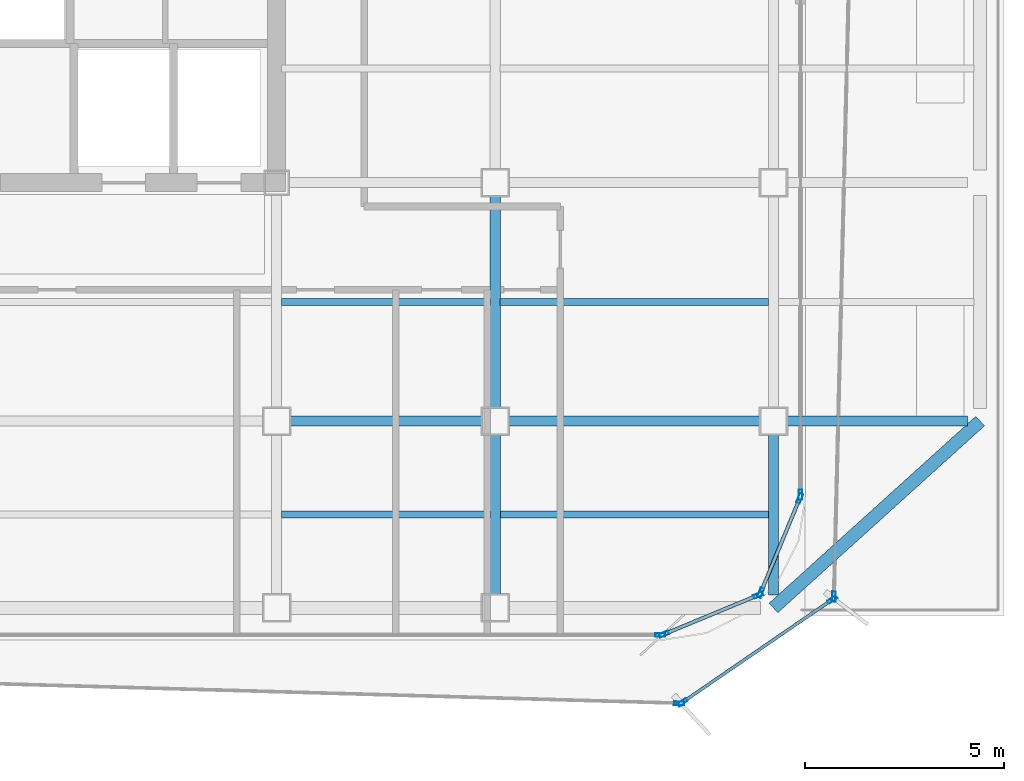
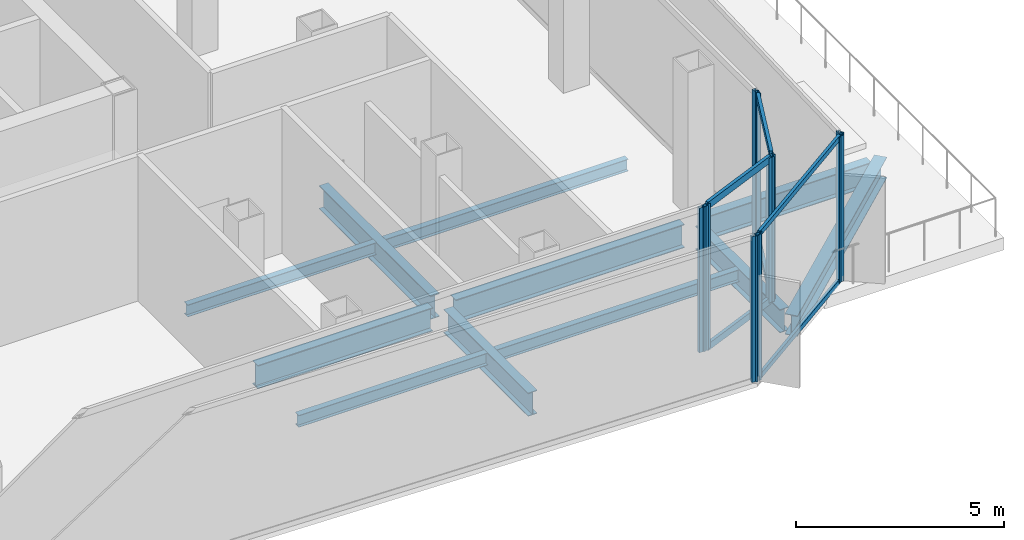
# One storey, part 4 of 14: 16 members, 11 beams, 7 elements without a shape of their own.
"""IFC4 building model written with IfcOpenShell, lengths in metres."""

from ifc_helpers import new_model, si_unit, direction, frame, origin, origin_2d, place, context, subcontext, project, spatial, hollow_rectangle, i_section, extrude, source, transform, mapped, material, layer, layer_set, material_profile, profile_set, type_object, element, aggregate, save


model = new_model("IFC4")

# Units and contexts
model_context = context("Model", 3, precision=1e-05, world=origin(), true_north=direction((0.0, 1.0)))
body_context = subcontext(model_context, "Body", "Model", "MODEL_VIEW")
ifc_project = project(units=[si_unit("LENGTHUNIT", "METRE"), si_unit("AREAUNIT", "SQUARE_METRE"), si_unit("VOLUMEUNIT", "CUBIC_METRE"), si_unit("PLANEANGLEUNIT", "RADIAN"), si_unit("MASSUNIT", "GRAM", prefix="KILO")], contexts=[model_context])

# Site, building, storey
site_placement = place(None, origin())
site = spatial("IfcSite", under=ifc_project, at=site_placement, CompositionType="ELEMENT")
building_placement = place(site_placement, origin())
building = spatial("IfcBuilding", under=site, at=building_placement, Name="Kolveth Station Tower", CompositionType="ELEMENT")
storey_placement = place(building_placement, frame((0.0, 0.0, 151.60009765625)))
storey = spatial("IfcBuildingStorey", under=building, at=storey_placement, Name="L42", CompositionType="ELEMENT", Elevation=151.60009765625)

# Beams
ifc_material_1 = material(Name="Steel S355", Category="steel")
ifc_material_profile_1 = material_profile(ifc_material_1, i_section(OverallWidth=0.323974609375, OverallDepth=0.611083984375, WebThickness=0.0126953125, FlangeThickness=0.01904296875, at=origin_2d()), Name="W610x155")
ifc_profile_set_1 = profile_set([ifc_material_profile_1], Name="Steel S355")
beam_type_1 = type_object("IfcBeamType", Name="Beam_SP2", PredefinedType="SPANDREL", material=ifc_profile_set_1)
shared_shape_1 = source(origin(), body_context, "Body", "SweptSolid", [
    extrude(i_section(OverallWidth=0.323974609375, OverallDepth=0.611083984375, WebThickness=0.0126953125, FlangeThickness=0.01904296875, at=origin_2d()), origin(), (0.0, 0.0, 1.0), 7.00927734375),
])
beam_1_placement = place(storey_placement, frame((41.0, 0.800048828125, -0.66552734375), z_axis=(0.741874009795, 0.670539300557, 0.0), x_axis=(-0.670539300557, 0.741874009795, 0.0)))
element("IfcBeam", 1, at=beam_1_placement, inside=storey, type_object=beam_type_1, Name="L42 Corner Edge Girder BM-L42-CNR-SE", PredefinedType="SPANDREL", context=body_context, shape_type="MappedRepresentation", body=[
    mapped(shared_shape_1, transform((0.0, 0.0, 0.0), x_axis=(1.0, 0.0, 0.0), y_axis=(0.0, 1.0, 0.0), z_axis=(0.0, 0.0, 1.0), scale=1.0)),
])
ifc_material_profile_2 = material_profile(ifc_material_1, i_section(OverallWidth=0.25390625, OverallDepth=0.68798828125, WebThickness=0.01318359375, FlangeThickness=0.02099609375, at=origin_2d()), Name="W690x152")
ifc_profile_set_2 = profile_set([ifc_material_profile_2], Name="Steel S355")
beam_type_2 = type_object("IfcBeamType", Name="Beam_B4", PredefinedType="BEAM", material=ifc_profile_set_2)
shared_shape_2 = source(origin(), body_context, "Body", "SweptSolid", [
    extrude(i_section(OverallWidth=0.25390625, OverallDepth=0.68798828125, WebThickness=0.01318359375, FlangeThickness=0.02099609375, at=origin_2d()), origin(), (0.0, 0.0, 1.0), 4.559814453125),
])
beam_2_placement = place(storey_placement, frame((41.320068359375, 5.5, -0.7041015625), z_axis=(1.0, 0.0, 0.0), x_axis=(0.0, 1.0, 0.0)))
element("IfcBeam", 2, at=beam_2_placement, inside=storey, type_object=beam_type_2, Name="L42 Primary Girder BM-L42-GY55-7", PredefinedType="BEAM", context=body_context, shape_type="MappedRepresentation", body=[
    mapped(shared_shape_2, transform((0.0, 0.0, 0.0), x_axis=(1.0, 0.0, 0.0), y_axis=(0.0, 1.0, 0.0), z_axis=(0.0, 0.0, 1.0), scale=1.0)),
])
shared_shape_3 = source(origin(), body_context, "Body", "SweptSolid", [
    extrude(i_section(OverallWidth=0.25390625, OverallDepth=0.68798828125, WebThickness=0.01318359375, FlangeThickness=0.02099609375, at=origin_2d()), origin(), (0.0, 0.0, 1.0), 6.35986328125),
])
beam_3_placement = place(storey_placement, frame((34.320068359375, 5.5, -0.7041015625), z_axis=(1.0, 0.0, 0.0), x_axis=(0.0, 1.0, 0.0)))
element("IfcBeam", 3, at=beam_3_placement, inside=storey, type_object=beam_type_2, Name="L42 Primary Girder BM-L42-GY55-6", PredefinedType="BEAM", context=body_context, shape_type="MappedRepresentation", body=[
    mapped(shared_shape_3, transform((0.0, 0.0, 0.0), x_axis=(1.0, 0.0, 0.0), y_axis=(0.0, 1.0, 0.0), z_axis=(0.0, 0.0, 1.0), scale=1.0)),
])
shared_shape_4 = source(origin(), body_context, "Body", "SweptSolid", [
    extrude(i_section(OverallWidth=0.25390625, OverallDepth=0.68798828125, WebThickness=0.01318359375, FlangeThickness=0.02099609375, at=origin_2d()), origin(), (0.0, 0.0, 1.0), 4.85986328125),
])
beam_4_placement = place(storey_placement, frame((28.820068359375, 5.5, -0.7041015625), z_axis=(1.0, 0.0, 0.0), x_axis=(0.0, 1.0, 0.0)))
element("IfcBeam", 4, at=beam_4_placement, inside=storey, type_object=beam_type_2, Name="L42 Primary Girder BM-L42-GY55-5", PredefinedType="BEAM", context=body_context, shape_type="MappedRepresentation", body=[
    mapped(shared_shape_4, transform((0.0, 0.0, 0.0), x_axis=(1.0, 0.0, 0.0), y_axis=(0.0, 1.0, 0.0), z_axis=(0.0, 0.0, 1.0), scale=1.0)),
])
shared_shape_5 = source(origin(), body_context, "Body", "SweptSolid", [
    extrude(i_section(OverallWidth=0.25390625, OverallDepth=0.68798828125, WebThickness=0.01318359375, FlangeThickness=0.02099609375, at=origin_2d()), origin(), (0.0, 0.0, 1.0), 4.059814453125),
])
for number, where, z_axis, x_axis, name in (
    (5, (34.0, 1.1201171875, -0.7041015625), (0.0, 1.0, 0.0), (-1.0, 0.0, 0.0), "L42 Primary Girder BM-L42-GX340-1"),
    (6, (41.0, 1.1201171875, -0.7041015625), (0.0, 1.0, 0.0), (-1.0, 0.0, 0.0), "L42 Primary Girder BM-L42-GX410-1"),
):
    element("IfcBeam", number, at=place(storey_placement, frame(where, z_axis=z_axis, x_axis=x_axis)), inside=storey, type_object=beam_type_2, Name=name, PredefinedType="BEAM", context=body_context, shape_type="MappedRepresentation", body=[
        mapped(shared_shape_5, transform((0.0, 0.0, 0.0), x_axis=(1.0, 0.0, 0.0), y_axis=(0.0, 1.0, 0.0), z_axis=(0.0, 0.0, 1.0), scale=1.0)),
    ])
shared_shape_6 = source(origin(), body_context, "Body", "SweptSolid", [
    extrude(i_section(OverallWidth=0.25390625, OverallDepth=0.68798828125, WebThickness=0.01318359375, FlangeThickness=0.02099609375, at=origin_2d()), origin(), (0.0, 0.0, 1.0), 5.35986328125),
])
beam_5_placement = place(storey_placement, frame((34.0, 5.820068359375, -0.7041015625), z_axis=(0.0, 1.0, 0.0), x_axis=(-1.0, 0.0, 0.0)))
element("IfcBeam", 7, at=beam_5_placement, inside=storey, type_object=beam_type_2, Name="L42 Primary Girder BM-L42-GX340-2", PredefinedType="BEAM", context=body_context, shape_type="MappedRepresentation", body=[
    mapped(shared_shape_6, transform((0.0, 0.0, 0.0), x_axis=(1.0, 0.0, 0.0), y_axis=(0.0, 1.0, 0.0), z_axis=(0.0, 0.0, 1.0), scale=1.0)),
])
ifc_material_profile_3 = material_profile(ifc_material_1, i_section(OverallWidth=0.1708984375, OverallDepth=0.35205078125, WebThickness=0.0068359375, FlangeThickness=0.009765625, at=origin_2d()), Name="W360x44")
ifc_profile_set_3 = profile_set([ifc_material_profile_3], Name="Steel S355")
beam_type_3 = type_object("IfcBeamType", Name="Beam_J2", PredefinedType="JOIST", material=ifc_profile_set_3)
shared_shape_7 = source(origin(), body_context, "Body", "SweptSolid", [
    extrude(i_section(OverallWidth=0.1708984375, OverallDepth=0.35205078125, WebThickness=0.0068359375, FlangeThickness=0.009765625, at=origin_2d()), origin(), (0.0, 0.0, 1.0), 6.75),
])
for number, where, z_axis, x_axis, name in (
    (8, (34.125, 3.14990234375, -0.5361328125), (1.0, 0.0, 0.0), (0.0, 1.0, 0.0), "L42 Secondary Joist JST-L42-6-1"),
    (9, (34.125, 8.5, -0.5361328125), (1.0, 0.0, 0.0), (0.0, 1.0, 0.0), "L42 Secondary Joist JST-L42-6-2"),
):
    element("IfcBeam", number, at=place(storey_placement, frame(where, z_axis=z_axis, x_axis=x_axis)), inside=storey, type_object=beam_type_3, Name=name, PredefinedType="JOIST", context=body_context, shape_type="MappedRepresentation", body=[
        mapped(shared_shape_7, transform((0.0, 0.0, 0.0), x_axis=(1.0, 0.0, 0.0), y_axis=(0.0, 1.0, 0.0), z_axis=(0.0, 0.0, 1.0), scale=1.0)),
    ])
shared_shape_8 = source(origin(), body_context, "Body", "SweptSolid", [
    extrude(i_section(OverallWidth=0.1708984375, OverallDepth=0.35205078125, WebThickness=0.0068359375, FlangeThickness=0.009765625, at=origin_2d()), origin(), (0.0, 0.0, 1.0), 5.25),
])
for number, where, z_axis, x_axis, name in (
    (10, (28.625, 3.14990234375, -0.5361328125), (1.0, 0.0, 0.0), (0.0, 1.0, 0.0), "L42 Secondary Joist JST-L42-5-1"),
    (11, (28.625, 8.5, -0.5361328125), (1.0, 0.0, 0.0), (0.0, 1.0, 0.0), "L42 Secondary Joist JST-L42-5-2"),
):
    element("IfcBeam", number, at=place(storey_placement, frame(where, z_axis=z_axis, x_axis=x_axis)), inside=storey, type_object=beam_type_3, Name=name, PredefinedType="JOIST", context=body_context, shape_type="MappedRepresentation", body=[
        mapped(shared_shape_8, transform((0.0, 0.0, 0.0), x_axis=(1.0, 0.0, 0.0), y_axis=(0.0, 1.0, 0.0), z_axis=(0.0, 0.0, 1.0), scale=1.0)),
    ])

# Curtain wall, members
ifc_material_2 = material(Name="Aluminium 6063-T6 and acoustic laminated dark glass", Category="aluminium")
ifc_layer_1 = layer(ifc_material_2, 0.219970703125)
ifc_layer_set_1 = layer_set([ifc_layer_1], Name="Aluminium 6063-T6 and acoustic laminated dark glass")
curtain_wall_type_1 = type_object("IfcCurtainWallType", Name="CurtainWall_CW-SL", PredefinedType="NOTDEFINED", material=ifc_layer_set_1)
curtain_wall_1_placement = place(storey_placement, origin())
curtain_wall_1 = element("IfcCurtainWall", 12, at=curtain_wall_1_placement, inside=storey, type_object=curtain_wall_type_1, Name="L42 Inner Thermal Curtain Wall 1", PredefinedType="NOTDEFINED")
ifc_material_3 = material(Name="Black anodized aluminium 6063-T6", Category="aluminium")
ifc_material_profile_4 = material_profile(ifc_material_3, hollow_rectangle(XDim=0.094970703125, YDim=0.25, WallThickness=0.0048828125, at=origin_2d()), Name="ALU-95x250x5")
ifc_profile_set_4 = profile_set([ifc_material_profile_4], Name="Black anodized aluminium 6063-T6")
member_type_1 = type_object("IfcMemberType", Name="Mullion_ML-SL", PredefinedType="MULLION", material=ifc_profile_set_4)
shared_shape_9 = source(origin(), body_context, "Body", "SweptSolid", [
    extrude(hollow_rectangle(XDim=0.094970703125, YDim=0.25, WallThickness=0.0048828125, at=origin_2d()), origin(), (0.0, 0.0, 1.0), 4.25),
])
member_1_placement = place(storey_placement, frame((38.243896484375, 0.13818359375, 0.0), z_axis=(0.0, 0.0, 1.0), x_axis=(-0.382697753087, 0.923873600544, 0.0)))
member_1 = element("IfcMember", 13, at=member_1_placement, type_object=member_type_1, Name="CW-SL mullion 1", PredefinedType="MULLION", context=body_context, shape_type="MappedRepresentation", body=[
    mapped(shared_shape_9, transform((0.0, 0.0, 0.0), x_axis=(1.0, 0.0, 0.0), y_axis=(0.0, 1.0, 0.0), z_axis=(0.0, 0.0, 1.0), scale=1.0)),
])
member_2_placement = place(storey_placement, frame((40.61669921875, 1.12109375, 0.0), z_axis=(0.0, 0.0, 1.0), x_axis=(-0.382697753087, 0.923873600544, 0.0)))
member_2 = element("IfcMember", 14, at=member_2_placement, type_object=member_type_1, Name="CW-SL mullion 2", PredefinedType="MULLION", context=body_context, shape_type="MappedRepresentation", body=[
    mapped(shared_shape_9, transform((0.0, 0.0, 0.0), x_axis=(1.0, 0.0, 0.0), y_axis=(0.0, 1.0, 0.0), z_axis=(0.0, 0.0, 1.0), scale=1.0)),
])

curtain_wall_2_placement = place(storey_placement, origin())
curtain_wall_2 = element("IfcCurtainWall", 15, at=curtain_wall_2_placement, inside=storey, type_object=curtain_wall_type_1, Name="L42 Inner Thermal Curtain Wall 2", PredefinedType="NOTDEFINED")
member_3_placement = place(storey_placement, frame((40.678955078125, 1.18310546875, 0.0), z_axis=(0.0, 0.0, 1.0), x_axis=(-0.923873600544, 0.382697753087, 0.0)))
member_3 = element("IfcMember", 16, at=member_3_placement, type_object=member_type_1, Name="CW-SL mullion 1", PredefinedType="MULLION", context=body_context, shape_type="MappedRepresentation", body=[
    mapped(shared_shape_9, transform((0.0, 0.0, 0.0), x_axis=(1.0, 0.0, 0.0), y_axis=(0.0, 1.0, 0.0), z_axis=(0.0, 0.0, 1.0), scale=1.0)),
])
member_4_placement = place(storey_placement, frame((41.661865234375, 3.55615234375, 0.0), z_axis=(0.0, 0.0, 1.0), x_axis=(-0.923873600544, 0.382697753087, 0.0)))
member_4 = element("IfcMember", 17, at=member_4_placement, type_object=member_type_1, Name="CW-SL mullion 2", PredefinedType="MULLION", context=body_context, shape_type="MappedRepresentation", body=[
    mapped(shared_shape_9, transform((0.0, 0.0, 0.0), x_axis=(1.0, 0.0, 0.0), y_axis=(0.0, 1.0, 0.0), z_axis=(0.0, 0.0, 1.0), scale=1.0)),
])

# Curtain wall, member
curtain_wall_3_placement = place(storey_placement, origin())
curtain_wall_3 = element("IfcCurtainWall", 18, at=curtain_wall_3_placement, inside=storey, type_object=curtain_wall_type_1, Name="L42 Inner Thermal Curtain Wall 3", PredefinedType="NOTDEFINED")
member_5_placement = place(storey_placement, frame((41.679931640625, 3.6474609375, 0.0), z_axis=(0.0, 0.0, 1.0), x_axis=(-1.0, 0.0, 0.0)))
member_5 = element("IfcMember", 19, at=member_5_placement, type_object=member_type_1, Name="CW-SL mullion 1", PredefinedType="MULLION", context=body_context, shape_type="MappedRepresentation", body=[
    mapped(shared_shape_9, transform((0.0, 0.0, 0.0), x_axis=(1.0, 0.0, 0.0), y_axis=(0.0, 1.0, 0.0), z_axis=(0.0, 0.0, 1.0), scale=1.0)),
])
aggregate(curtain_wall_3, [member_5])

curtain_wall_4_placement = place(storey_placement, origin())
curtain_wall_4 = element("IfcCurtainWall", 20, at=curtain_wall_4_placement, inside=storey, type_object=curtain_wall_type_1, Name="L42 Inner Thermal Curtain Wall 12", PredefinedType="NOTDEFINED")
member_6_placement = place(storey_placement, frame((38.152587890625, 0.1201171875, 0.0), z_axis=(0.0, 0.0, 1.0), x_axis=(0.0, 1.0, 0.0)))
member_6 = element("IfcMember", 21, at=member_6_placement, type_object=member_type_1, Name="CW-SL mullion 2", PredefinedType="MULLION", context=body_context, shape_type="MappedRepresentation", body=[
    mapped(shared_shape_9, transform((0.0, 0.0, 0.0), x_axis=(1.0, 0.0, 0.0), y_axis=(0.0, 1.0, 0.0), z_axis=(0.0, 0.0, 1.0), scale=1.0)),
])
aggregate(curtain_wall_4, [member_6])

# Member
ifc_material_profile_5 = material_profile(ifc_material_3, hollow_rectangle(XDim=0.090087890625, YDim=0.199951171875, WallThickness=0.0048828125, at=origin_2d()), Name="ALU-90x200x5")
ifc_profile_set_5 = profile_set([ifc_material_profile_5], Name="Black anodized aluminium 6063-T6")
member_type_2 = type_object("IfcMemberType", Name="Transom_TR-SL", PredefinedType="USERDEFINED", material=ifc_profile_set_5)
shared_shape_10 = source(origin(), body_context, "Body", "SweptSolid", [
    extrude(hollow_rectangle(XDim=0.090087890625, YDim=0.199951171875, WallThickness=0.0048828125, at=origin_2d()), origin(), (0.0, 0.0, 1.0), 2.4736328125),
])
member_7_placement = place(storey_placement, frame((38.287841796875, 0.15625, 0.044921875), z_axis=(0.923845991708, 0.382764396992, 0.0), x_axis=(-0.382764396992, 0.923845991708, 0.0)))
member_7 = element("IfcMember", 22, at=member_7_placement, type_object=member_type_2, Name="CW-SL transom 1.1", ObjectType="TRANSOM", PredefinedType="USERDEFINED", context=body_context, shape_type="MappedRepresentation", body=[
    mapped(shared_shape_10, transform((0.0, 0.0, 0.0), x_axis=(1.0, 0.0, 0.0), y_axis=(0.0, 1.0, 0.0), z_axis=(0.0, 0.0, 1.0), scale=1.0)),
])

member_8_placement = place(storey_placement, frame((38.287841796875, 0.15625, 4.204833984375), z_axis=(0.923845991708, 0.382764396992, 0.0), x_axis=(-0.382764396992, 0.923845991708, 0.0)))
member_8 = element("IfcMember", 23, at=member_8_placement, type_object=member_type_2, Name="CW-SL transom 1.2", ObjectType="TRANSOM", PredefinedType="USERDEFINED", context=body_context, shape_type="MappedRepresentation", body=[
    mapped(shared_shape_10, transform((0.0, 0.0, 0.0), x_axis=(1.0, 0.0, 0.0), y_axis=(0.0, 1.0, 0.0), z_axis=(0.0, 0.0, 1.0), scale=1.0)),
])

aggregate(curtain_wall_1, [member_1, member_2, member_7, member_8])

shared_shape_11 = source(origin(), body_context, "Body", "SweptSolid", [
    extrude(hollow_rectangle(XDim=0.090087890625, YDim=0.199951171875, WallThickness=0.0048828125, at=origin_2d()), origin(), (0.0, 0.0, 1.0), 2.473388671875),
])
member_9_placement = place(storey_placement, frame((40.697021484375, 1.22705078125, 0.044921875), z_axis=(0.38268015134, 0.92388089155, 0.0), x_axis=(-0.92388089155, 0.38268015134, 0.0)))
member_9 = element("IfcMember", 24, at=member_9_placement, type_object=member_type_2, Name="CW-SL transom 1.1", ObjectType="TRANSOM", PredefinedType="USERDEFINED", context=body_context, shape_type="MappedRepresentation", body=[
    mapped(shared_shape_11, transform((0.0, 0.0, 0.0), x_axis=(1.0, 0.0, 0.0), y_axis=(0.0, 1.0, 0.0), z_axis=(0.0, 0.0, 1.0), scale=1.0)),
])

member_10_placement = place(storey_placement, frame((40.697021484375, 1.22705078125, 4.204833984375), z_axis=(0.38268015134, 0.92388089155, 0.0), x_axis=(-0.92388089155, 0.38268015134, 0.0)))
member_10 = element("IfcMember", 25, at=member_10_placement, type_object=member_type_2, Name="CW-SL transom 1.2", ObjectType="TRANSOM", PredefinedType="USERDEFINED", context=body_context, shape_type="MappedRepresentation", body=[
    mapped(shared_shape_11, transform((0.0, 0.0, 0.0), x_axis=(1.0, 0.0, 0.0), y_axis=(0.0, 1.0, 0.0), z_axis=(0.0, 0.0, 1.0), scale=1.0)),
])

aggregate(curtain_wall_2, [member_3, member_4, member_9, member_10])

# Curtain wall, members
ifc_material_4 = material(Name="Black anodized aluminium 6063-T6 and dark solar glass", Category="aluminium")
ifc_layer_2 = layer(ifc_material_4, 0.159912109375)
ifc_layer_set_2 = layer_set([ifc_layer_2], Name="Black anodized aluminium 6063-T6 and dark solar glass")
curtain_wall_type_2 = type_object("IfcCurtainWallType", Name="OUTER SKIN CW-OS", PredefinedType="NOTDEFINED", material=ifc_layer_set_2)
curtain_wall_5_placement = place(storey_placement, origin())
curtain_wall_5 = element("IfcCurtainWall", 26, at=curtain_wall_5_placement, inside=storey, type_object=curtain_wall_type_2, Name="L42 Outer Ventilated Skin Curtain Wall 1", PredefinedType="NOTDEFINED")
ifc_material_profile_6 = material_profile(ifc_material_3, hollow_rectangle(XDim=0.090087890625, YDim=0.260009765625, WallThickness=0.0048828125, at=origin_2d()), Name="ALU-90x260x5")
ifc_profile_set_6 = profile_set([ifc_material_profile_6], Name="Black anodized aluminium 6063-T6")
member_type_3 = type_object("IfcMemberType", Name="FIN MULLION ML-OS", PredefinedType="MULLION", material=ifc_profile_set_6)
shared_shape_12 = source(origin(), body_context, "Body", "SweptSolid", [
    extrude(hollow_rectangle(XDim=0.090087890625, YDim=0.260009765625, WallThickness=0.0048828125, at=origin_2d()), origin(), (0.0, 0.0, 1.0), 4.289794921875),
])
member_11_placement = place(storey_placement, frame((38.709716796875, -1.5771484375, 0.0), z_axis=(0.0, 0.0, 1.0), x_axis=(-0.565921059066, 0.824459431934, 0.0)))
member_11 = element("IfcMember", 27, at=member_11_placement, type_object=member_type_3, Name="CW-OS mullion 1", PredefinedType="MULLION", context=body_context, shape_type="MappedRepresentation", body=[
    mapped(shared_shape_12, transform((0.0, 0.0, 0.0), x_axis=(1.0, 0.0, 0.0), y_axis=(0.0, 1.0, 0.0), z_axis=(0.0, 0.0, 1.0), scale=1.0)),
])
member_12_placement = place(storey_placement, frame((42.482177734375, 1.012451171875, 0.0), z_axis=(0.0, 0.0, 1.0), x_axis=(-0.565921059066, 0.824459431934, 0.0)))
member_12 = element("IfcMember", 28, at=member_12_placement, type_object=member_type_3, Name="CW-OS mullion 2", PredefinedType="MULLION", context=body_context, shape_type="MappedRepresentation", body=[
    mapped(shared_shape_12, transform((0.0, 0.0, 0.0), x_axis=(1.0, 0.0, 0.0), y_axis=(0.0, 1.0, 0.0), z_axis=(0.0, 0.0, 1.0), scale=1.0)),
])

# Curtain wall, member
curtain_wall_6_placement = place(storey_placement, origin())
curtain_wall_6 = element("IfcCurtainWall", 29, at=curtain_wall_6_placement, inside=storey, type_object=curtain_wall_type_2, Name="L42 Outer Ventilated Skin Curtain Wall 2", PredefinedType="NOTDEFINED")
member_13_placement = place(storey_placement, frame((42.5205078125, 1.0830078125, 0.0), z_axis=(0.0, 0.0, 1.0), x_axis=(-0.999704122621, 0.024324210462, 0.0)))
member_13 = element("IfcMember", 30, at=member_13_placement, type_object=member_type_3, Name="CW-OS mullion 1", PredefinedType="MULLION", context=body_context, shape_type="MappedRepresentation", body=[
    mapped(shared_shape_12, transform((0.0, 0.0, 0.0), x_axis=(1.0, 0.0, 0.0), y_axis=(0.0, 1.0, 0.0), z_axis=(0.0, 0.0, 1.0), scale=1.0)),
])
aggregate(curtain_wall_6, [member_13])

curtain_wall_7_placement = place(storey_placement, origin())
curtain_wall_7 = element("IfcCurtainWall", 31, at=curtain_wall_7_placement, inside=storey, type_object=curtain_wall_type_2, Name="L42 Outer Ventilated Skin Curtain Wall 8", PredefinedType="NOTDEFINED")
member_14_placement = place(storey_placement, frame((38.627685546875, -1.601318359375, 0.0), z_axis=(0.0, 0.0, 1.0), x_axis=(0.028461754312, 0.999594882211, 0.0)))
member_14 = element("IfcMember", 32, at=member_14_placement, type_object=member_type_3, Name="CW-OS mullion 2", PredefinedType="MULLION", context=body_context, shape_type="MappedRepresentation", body=[
    mapped(shared_shape_12, transform((0.0, 0.0, 0.0), x_axis=(1.0, 0.0, 0.0), y_axis=(0.0, 1.0, 0.0), z_axis=(0.0, 0.0, 1.0), scale=1.0)),
])
aggregate(curtain_wall_7, [member_14])

# Member
ifc_material_profile_7 = material_profile(ifc_material_3, hollow_rectangle(XDim=0.080078125, YDim=0.14990234375, WallThickness=0.0048828125, at=origin_2d()), Name="ALU-80x150x5")
ifc_profile_set_7 = profile_set([ifc_material_profile_7], Name="Black anodized aluminium 6063-T6")
member_type_4 = type_object("IfcMemberType", Name="Transom_TR-OS", PredefinedType="USERDEFINED", material=ifc_profile_set_7)
shared_shape_13 = source(origin(), body_context, "Body", "SweptSolid", [
    extrude(hollow_rectangle(XDim=0.080078125, YDim=0.14990234375, WallThickness=0.0048828125, at=origin_2d()), origin(), (0.0, 0.0, 1.0), 4.48583984375),
])
member_15_placement = place(storey_placement, frame((38.746826171875, -1.551513671875, 0.039794921875), z_axis=(0.824472027323, 0.565902709096, 0.0), x_axis=(-0.565902709096, 0.824472027323, 0.0)))
member_15 = element("IfcMember", 33, at=member_15_placement, type_object=member_type_4, Name="CW-OS transom 1.1", ObjectType="TRANSOM", PredefinedType="USERDEFINED", context=body_context, shape_type="MappedRepresentation", body=[
    mapped(shared_shape_13, transform((0.0, 0.0, 0.0), x_axis=(1.0, 0.0, 0.0), y_axis=(0.0, 1.0, 0.0), z_axis=(0.0, 0.0, 1.0), scale=1.0)),
])

member_16_placement = place(storey_placement, frame((38.746826171875, -1.551513671875, 4.25), z_axis=(0.824472027323, 0.565902709096, 0.0), x_axis=(-0.565902709096, 0.824472027323, 0.0)))
member_16 = element("IfcMember", 34, at=member_16_placement, type_object=member_type_4, Name="CW-OS transom 1.2", ObjectType="TRANSOM", PredefinedType="USERDEFINED", context=body_context, shape_type="MappedRepresentation", body=[
    mapped(shared_shape_13, transform((0.0, 0.0, 0.0), x_axis=(1.0, 0.0, 0.0), y_axis=(0.0, 1.0, 0.0), z_axis=(0.0, 0.0, 1.0), scale=1.0)),
])

aggregate(curtain_wall_5, [member_11, member_12, member_15, member_16])

save(model, "model.ifc")
